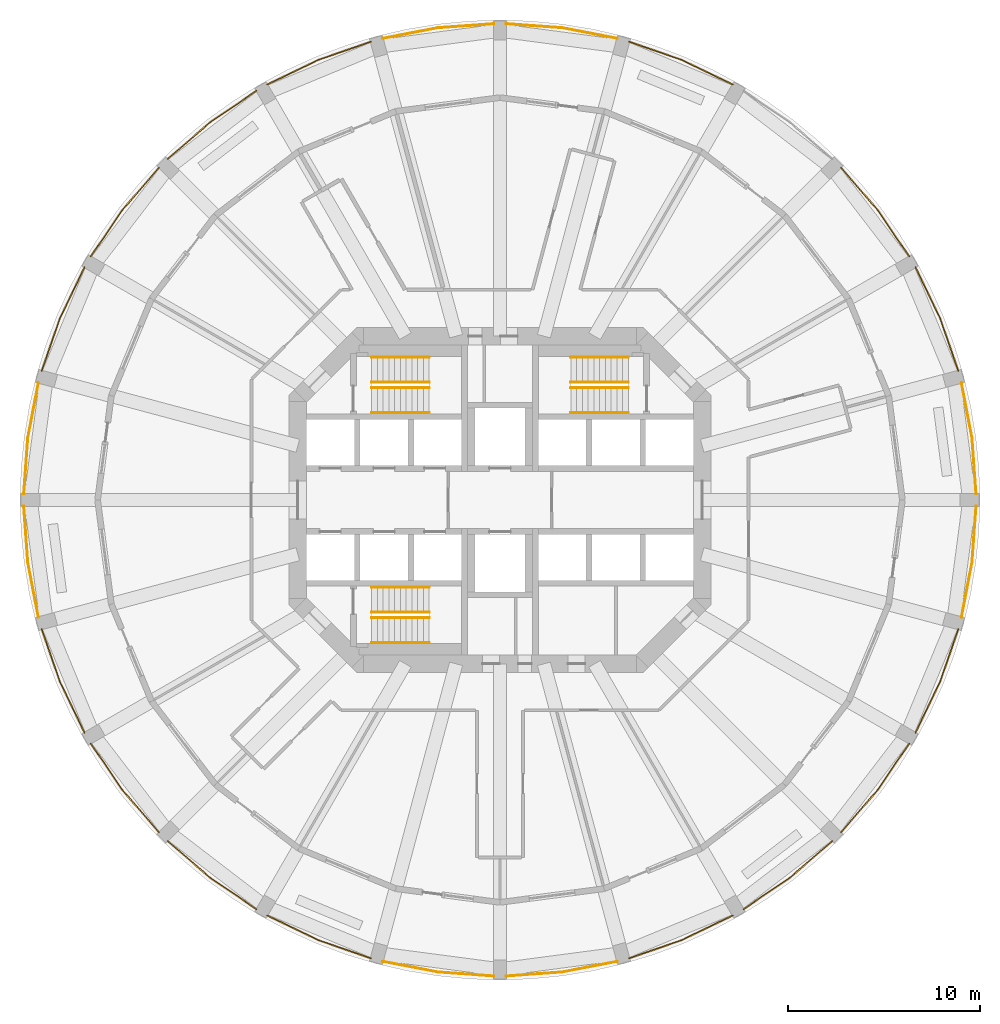
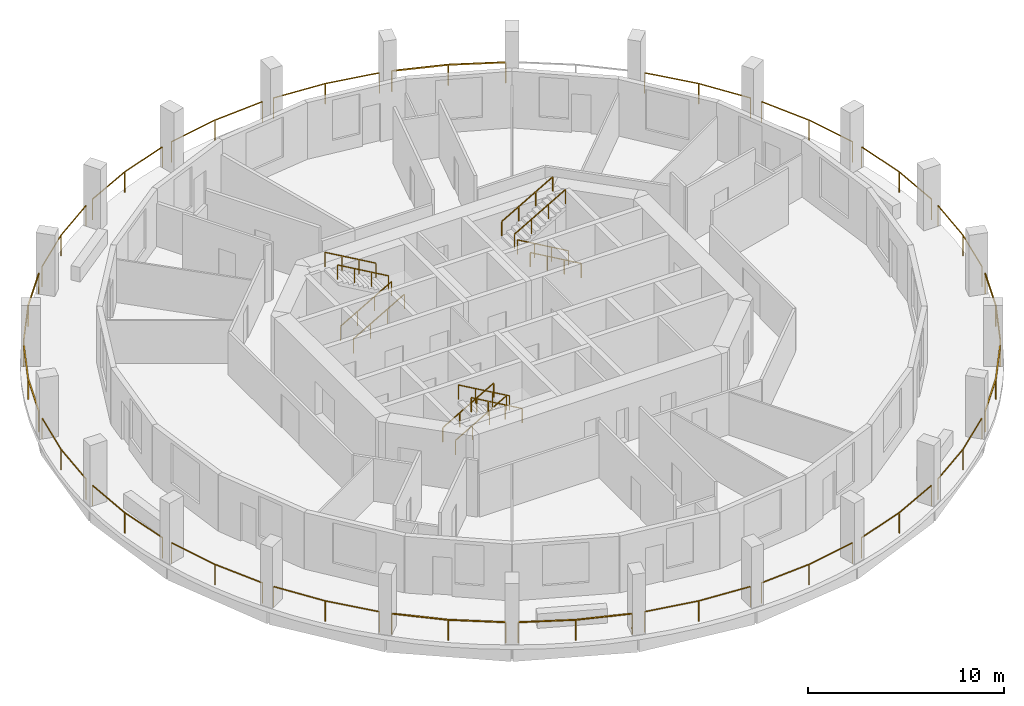
# One storey, part 7 of 8: 35 railings.
"""IFC4 building model written with IfcOpenShell, lengths in metres."""

from ifc_helpers import new_model, si_unit, direction, frame, origin, origin_2d, place, context, subcontext, project, spatial, rectangle, extrude, material, type_object, element, save


model = new_model("IFC4")

# Units and contexts
model_context = context("Model", 3, precision=1e-05, world=origin(), true_north=direction((0.0, 1.0)))
body_context = subcontext(model_context, "Body", "Model", "MODEL_VIEW")
ifc_project = project(units=[si_unit("LENGTHUNIT", "METRE"), si_unit("AREAUNIT", "SQUARE_METRE"), si_unit("VOLUMEUNIT", "CUBIC_METRE"), si_unit("PLANEANGLEUNIT", "RADIAN"), si_unit("MASSUNIT", "GRAM", prefix="KILO")], contexts=[model_context])

# Site, building, storey
site_placement = place(None, origin())
site = spatial("IfcSite", under=ifc_project, at=site_placement, CompositionType="ELEMENT")
building_placement = place(site_placement, origin())
building = spatial("IfcBuilding", under=site, at=building_placement, Name="Torre Triforio", CompositionType="ELEMENT")
storey_placement = place(building_placement, frame((0.0, 0.0, 127.60009765625)))
storey = spatial("IfcBuildingStorey", under=building, at=storey_placement, Name="L28", CompositionType="ELEMENT", Elevation=127.60009765625)

# Railings
ifc_material = material(Name="Stainless steel AISI 316", Category="steel")
railing_type_1 = type_object("IfcRailingType", Name="HANDRAIL 920", PredefinedType="HANDRAIL", material=ifc_material)
for number, where, name in (
    (1, (-6.699951171875, 4.550048828125, 0.172607421875), "Handrail ST1"),
    (2, (-6.699951171875, 5.85009765625, 0.172607421875), "Handrail ST1"),
):
    element("IfcRailing", number, at=place(storey_placement, frame(where)), inside=storey, type_object=railing_type_1, Name=name, PredefinedType="HANDRAIL", context=body_context, shape_type="SweptSolid", body=[
        extrude(rectangle(XDim=0.048095703125, YDim=0.048095703125, at=origin_2d()), frame((0.0, 0.0, 0.89599609375), z_axis=(0.866619684472, 0.0, 0.498969260062), x_axis=(0.0, 1.0, 0.0)), (0.0, 0.0, 1.0), 3.461669921875),
        extrude(rectangle(XDim=0.0419921875, YDim=0.0419921875, at=origin_2d()), origin(), (0.0, 0.0, 1.0), 0.871826171875),
        extrude(rectangle(XDim=0.0419921875, YDim=0.0419921875, at=origin_2d()), frame((1.0, 0.0, 0.57568359375)), (0.0, 0.0, 1.0), 0.871826171875),
        extrude(rectangle(XDim=0.0419921875, YDim=0.0419921875, at=origin_2d()), frame((2.0, 0.0, 1.151611328125)), (0.0, 0.0, 1.0), 0.871826171875),
        extrude(rectangle(XDim=0.0419921875, YDim=0.0419921875, at=origin_2d()), frame((3.0, 0.0, 1.727294921875)), (0.0, 0.0, 1.0), 0.871826171875),
    ])
for number, where, name in (
    (3, (-3.699951171875, 7.449951171875, 2.072509765625), "Handrail ST1"),
    (4, (-3.699951171875, 6.14990234375, 2.072509765625), "Handrail ST1"),
    (5, (6.699951171875, 4.550048828125, 0.172607421875), "Handrail ST2"),
    (6, (6.699951171875, 5.85009765625, 0.172607421875), "Handrail ST2"),
):
    element("IfcRailing", number, at=place(storey_placement, frame(where)), inside=storey, type_object=railing_type_1, Name=name, PredefinedType="HANDRAIL", context=body_context, shape_type="SweptSolid", body=[
        extrude(rectangle(XDim=0.048095703125, YDim=0.048095703125, at=origin_2d()), frame((0.0, 0.0, 0.89599609375), z_axis=(-0.866619684472, 0.0, 0.498969260062), x_axis=(0.0, -1.0, 0.0)), (0.0, 0.0, 1.0), 3.461669921875),
        extrude(rectangle(XDim=0.0419921875, YDim=0.0419921875, at=origin_2d()), origin(), (0.0, 0.0, 1.0), 0.871826171875),
        extrude(rectangle(XDim=0.0419921875, YDim=0.0419921875, at=origin_2d()), frame((-1.0, 0.0, 0.57568359375)), (0.0, 0.0, 1.0), 0.871826171875),
        extrude(rectangle(XDim=0.0419921875, YDim=0.0419921875, at=origin_2d()), frame((-2.0, 0.0, 1.151611328125)), (0.0, 0.0, 1.0), 0.871826171875),
        extrude(rectangle(XDim=0.0419921875, YDim=0.0419921875, at=origin_2d()), frame((-3.0, 0.0, 1.727294921875)), (0.0, 0.0, 1.0), 0.871826171875),
    ])
for number, where, name in (
    (7, (3.699951171875, 7.449951171875, 2.072509765625), "Handrail ST2"),
    (8, (3.699951171875, 6.14990234375, 2.072509765625), "Handrail ST2"),
    (9, (-6.699951171875, -4.550048828125, 0.172607421875), "Handrail ST3"),
    (10, (-6.699951171875, -5.85009765625, 0.172607421875), "Handrail ST3"),
):
    element("IfcRailing", number, at=place(storey_placement, frame(where)), inside=storey, type_object=railing_type_1, Name=name, PredefinedType="HANDRAIL", context=body_context, shape_type="SweptSolid", body=[
        extrude(rectangle(XDim=0.048095703125, YDim=0.048095703125, at=origin_2d()), frame((0.0, 0.0, 0.89599609375), z_axis=(0.866619684472, 0.0, 0.498969260062), x_axis=(0.0, 1.0, 0.0)), (0.0, 0.0, 1.0), 3.461669921875),
        extrude(rectangle(XDim=0.0419921875, YDim=0.0419921875, at=origin_2d()), origin(), (0.0, 0.0, 1.0), 0.871826171875),
        extrude(rectangle(XDim=0.0419921875, YDim=0.0419921875, at=origin_2d()), frame((1.0, 0.0, 0.57568359375)), (0.0, 0.0, 1.0), 0.871826171875),
        extrude(rectangle(XDim=0.0419921875, YDim=0.0419921875, at=origin_2d()), frame((2.0, 0.0, 1.151611328125)), (0.0, 0.0, 1.0), 0.871826171875),
        extrude(rectangle(XDim=0.0419921875, YDim=0.0419921875, at=origin_2d()), frame((3.0, 0.0, 1.727294921875)), (0.0, 0.0, 1.0), 0.871826171875),
    ])
for number, where, name in (
    (11, (-3.699951171875, -7.449951171875, 2.072509765625), "Handrail ST3"),
    (12, (-3.699951171875, -6.14990234375, 2.072509765625), "Handrail ST3"),
):
    element("IfcRailing", number, at=place(storey_placement, frame(where)), inside=storey, type_object=railing_type_1, Name=name, PredefinedType="HANDRAIL", context=body_context, shape_type="SweptSolid", body=[
        extrude(rectangle(XDim=0.048095703125, YDim=0.048095703125, at=origin_2d()), frame((0.0, 0.0, 0.89599609375), z_axis=(-0.866619684472, 0.0, 0.498969260062), x_axis=(0.0, -1.0, 0.0)), (0.0, 0.0, 1.0), 3.461669921875),
        extrude(rectangle(XDim=0.0419921875, YDim=0.0419921875, at=origin_2d()), origin(), (0.0, 0.0, 1.0), 0.871826171875),
        extrude(rectangle(XDim=0.0419921875, YDim=0.0419921875, at=origin_2d()), frame((-1.0, 0.0, 0.57568359375)), (0.0, 0.0, 1.0), 0.871826171875),
        extrude(rectangle(XDim=0.0419921875, YDim=0.0419921875, at=origin_2d()), frame((-2.0, 0.0, 1.151611328125)), (0.0, 0.0, 1.0), 0.871826171875),
        extrude(rectangle(XDim=0.0419921875, YDim=0.0419921875, at=origin_2d()), frame((-3.0, 0.0, 1.727294921875)), (0.0, 0.0, 1.0), 0.871826171875),
    ])
railing_type_2 = type_object("IfcRailingType", Name="Loggia guard 1300", PredefinedType="GUARDRAIL", material=ifc_material)
railing_1_placement = place(storey_placement, frame((24.85009765625, 0.320068359375, 0.0)))
element("IfcRailing", 13, at=railing_1_placement, inside=storey, type_object=railing_type_2, Name="Loggia guard L28 bay 01", PredefinedType="GUARDRAIL", context=body_context, shape_type="SweptSolid", body=[
    extrude(rectangle(XDim=0.050048828125, YDim=0.050048828125, at=origin_2d()), frame((0.0, 0.0, 1.27490234375), z_axis=(-0.072543227511, 0.997365269168, 0.0), x_axis=(-0.997365269168, -0.072543227511, 0.0)), (0.0, 0.0, 1.0), 2.931396484375),
    extrude(rectangle(XDim=0.050048828125, YDim=0.050048828125, at=origin_2d()), frame((-0.212646484375, 2.923583984375, 1.27490234375), z_axis=(-0.188068851895, 0.982155846568, 0.0), x_axis=(-0.982155846568, -0.188068851895, 0.0)), (0.0, 0.0, 1.0), 2.93115234375),
    extrude(rectangle(XDim=0.0400390625, YDim=0.0400390625, at=origin_2d()), origin(), (0.0, 0.0, 1.0), 1.25),
    extrude(rectangle(XDim=0.0400390625, YDim=0.0400390625, at=origin_2d()), frame((-0.212646484375, 2.923583984375, 0.0)), (0.0, 0.0, 1.0), 1.25),
    extrude(rectangle(XDim=0.0400390625, YDim=0.0400390625, at=origin_2d()), frame((-0.763916015625, 5.802490234375, 0.0)), (0.0, 0.0, 1.0), 1.25),
])
railing_2_placement = place(storey_placement, frame((23.92041015625, 6.74072265625, 0.0)))
element("IfcRailing", 14, at=railing_2_placement, inside=storey, type_object=railing_type_2, Name="Loggia guard L28 bay 02", PredefinedType="GUARDRAIL", context=body_context, shape_type="SweptSolid", body=[
    extrude(rectangle(XDim=0.050048828125, YDim=0.050048828125, at=origin_2d()), frame((0.0, 0.0, 1.27490234375), z_axis=(-0.328145883403, 0.944627058264, 0.0), x_axis=(-0.944627058264, -0.328145883403, 0.0)), (0.0, 0.0, 1.0), 2.931396484375),
    extrude(rectangle(XDim=0.050048828125, YDim=0.050048828125, at=origin_2d()), frame((-0.9619140625, 2.76904296875, 1.27490234375), z_axis=(-0.435917913275, 0.899986429279, 0.0), x_axis=(-0.899986429279, -0.435917913275, 0.0)), (0.0, 0.0, 1.0), 2.931396484375),
    extrude(rectangle(XDim=0.0400390625, YDim=0.0400390625, at=origin_2d()), origin(), (0.0, 0.0, 1.0), 1.25),
    extrude(rectangle(XDim=0.0400390625, YDim=0.0400390625, at=origin_2d()), frame((-0.9619140625, 2.76904296875, 0.0)), (0.0, 0.0, 1.0), 1.25),
    extrude(rectangle(XDim=0.0400390625, YDim=0.0400390625, at=origin_2d()), frame((-2.23974609375, 5.4072265625, 0.0)), (0.0, 0.0, 1.0), 1.25),
])
railing_3_placement = place(storey_placement, frame((21.360595703125, 12.7021484375, 0.0)))
element("IfcRailing", 15, at=railing_3_placement, inside=storey, type_object=railing_type_2, Name="Loggia guard L28 bay 03", PredefinedType="GUARDRAIL", context=body_context, shape_type="SweptSolid", body=[
    extrude(rectangle(XDim=0.050048828125, YDim=0.050048828125, at=origin_2d()), frame((0.0, 0.0, 1.27490234375), z_axis=(-0.561466791934, 0.827499269821, 0.0), x_axis=(-0.827499269821, -0.561466791934, 0.0)), (0.0, 0.0, 1.0), 2.93115234375),
    extrude(rectangle(XDim=0.050048828125, YDim=0.050048828125, at=origin_2d()), frame((-1.645751953125, 2.425537109375, 1.27490234375), z_axis=(-0.653981928353, 0.756510170049, 0.0), x_axis=(-0.756510170049, -0.653981928353, 0.0)), (0.0, 0.0, 1.0), 2.93115234375),
    extrude(rectangle(XDim=0.0400390625, YDim=0.0400390625, at=origin_2d()), origin(), (0.0, 0.0, 1.0), 1.25),
    extrude(rectangle(XDim=0.0400390625, YDim=0.0400390625, at=origin_2d()), frame((-1.645751953125, 2.425537109375, 0.0)), (0.0, 0.0, 1.0), 1.25),
    extrude(rectangle(XDim=0.0400390625, YDim=0.0400390625, at=origin_2d()), frame((-3.562744140625, 4.64306640625, 0.0)), (0.0, 0.0, 1.0), 1.25),
])
railing_4_placement = place(storey_placement, frame((12.14794921875, 21.6806640625, 0.0)))
element("IfcRailing", 16, at=railing_4_placement, inside=storey, type_object=railing_type_2, Name="Loggia guard L28 bay 05", PredefinedType="GUARDRAIL", context=body_context, shape_type="SweptSolid", body=[
    extrude(rectangle(XDim=0.050048828125, YDim=0.050048828125, at=origin_2d()), frame((0.0, 0.0, 1.27490234375), z_axis=(-0.899986429279, 0.435917913275, 0.0), x_axis=(-0.435917913275, -0.899986429279, 0.0)), (0.0, 0.0, 1.0), 2.931396484375),
    extrude(rectangle(XDim=0.050048828125, YDim=0.050048828125, at=origin_2d()), frame((-2.63818359375, 1.27783203125, 1.27490234375), z_axis=(-0.944627058264, 0.328145883403, 0.0), x_axis=(-0.328145883403, -0.944627058264, 0.0)), (0.0, 0.0, 1.0), 2.931396484375),
    extrude(rectangle(XDim=0.0400390625, YDim=0.0400390625, at=origin_2d()), origin(), (0.0, 0.0, 1.0), 1.25),
    extrude(rectangle(XDim=0.0400390625, YDim=0.0400390625, at=origin_2d()), frame((-2.63818359375, 1.27783203125, 0.0)), (0.0, 0.0, 1.0), 1.25),
    extrude(rectangle(XDim=0.0400390625, YDim=0.0400390625, at=origin_2d()), frame((-5.4072265625, 2.23974609375, 0.0)), (0.0, 0.0, 1.0), 1.25),
])
railing_5_placement = place(storey_placement, frame((6.12255859375, 24.086181640625, 0.0)))
element("IfcRailing", 17, at=railing_5_placement, inside=storey, type_object=railing_type_2, Name="Loggia guard L28 bay 06", PredefinedType="GUARDRAIL", context=body_context, shape_type="SweptSolid", body=[
    extrude(rectangle(XDim=0.050048828125, YDim=0.050048828125, at=origin_2d()), frame((0.0, 0.0, 1.27490234375), z_axis=(-0.982155846568, 0.188068851895, 0.0), x_axis=(-0.188068851895, -0.982155846568, 0.0)), (0.0, 0.0, 1.0), 2.93115234375),
    extrude(rectangle(XDim=0.050048828125, YDim=0.050048828125, at=origin_2d()), frame((-2.87890625, 0.55126953125, 1.27490234375), z_axis=(-0.997365269168, 0.072543227511, 0.0), x_axis=(-0.072543227511, -0.997365269168, 0.0)), (0.0, 0.0, 1.0), 2.931396484375),
    extrude(rectangle(XDim=0.0400390625, YDim=0.0400390625, at=origin_2d()), origin(), (0.0, 0.0, 1.0), 1.25),
    extrude(rectangle(XDim=0.0400390625, YDim=0.0400390625, at=origin_2d()), frame((-2.87890625, 0.55126953125, 0.0)), (0.0, 0.0, 1.0), 1.25),
    extrude(rectangle(XDim=0.0400390625, YDim=0.0400390625, at=origin_2d()), frame((-5.802490234375, 0.763916015625, 0.0)), (0.0, 0.0, 1.0), 1.25),
])
railing_6_placement = place(storey_placement, frame((-0.320068359375, 24.85009765625, 0.0)))
element("IfcRailing", 18, at=railing_6_placement, inside=storey, type_object=railing_type_2, Name="Loggia guard L28 bay 07", PredefinedType="GUARDRAIL", context=body_context, shape_type="SweptSolid", body=[
    extrude(rectangle(XDim=0.050048828125, YDim=0.050048828125, at=origin_2d()), frame((0.0, 0.0, 1.27490234375), z_axis=(-0.997365269168, -0.072543227511, 0.0), x_axis=(0.072543227511, -0.997365269168, 0.0)), (0.0, 0.0, 1.0), 2.931396484375),
    extrude(rectangle(XDim=0.050048828125, YDim=0.050048828125, at=origin_2d()), frame((-2.923583984375, -0.212646484375, 1.27490234375), z_axis=(-0.982155846568, -0.188068851895, 0.0), x_axis=(0.188068851895, -0.982155846568, 0.0)), (0.0, 0.0, 1.0), 2.93115234375),
    extrude(rectangle(XDim=0.0400390625, YDim=0.0400390625, at=origin_2d()), origin(), (0.0, 0.0, 1.0), 1.25),
    extrude(rectangle(XDim=0.0400390625, YDim=0.0400390625, at=origin_2d()), frame((-2.923583984375, -0.212646484375, 0.0)), (0.0, 0.0, 1.0), 1.25),
    extrude(rectangle(XDim=0.0400390625, YDim=0.0400390625, at=origin_2d()), frame((-5.802490234375, -0.763916015625, 0.0)), (0.0, 0.0, 1.0), 1.25),
])
railing_7_placement = place(storey_placement, frame((-6.74072265625, 23.92041015625, 0.0)))
element("IfcRailing", 19, at=railing_7_placement, inside=storey, type_object=railing_type_2, Name="Loggia guard L28 bay 08", PredefinedType="GUARDRAIL", context=body_context, shape_type="SweptSolid", body=[
    extrude(rectangle(XDim=0.050048828125, YDim=0.050048828125, at=origin_2d()), frame((0.0, 0.0, 1.27490234375), z_axis=(-0.944627058264, -0.328145883403, 0.0), x_axis=(0.328145883403, -0.944627058264, 0.0)), (0.0, 0.0, 1.0), 2.931396484375),
    extrude(rectangle(XDim=0.050048828125, YDim=0.050048828125, at=origin_2d()), frame((-2.76904296875, -0.9619140625, 1.27490234375), z_axis=(-0.899986429279, -0.435917913275, 0.0), x_axis=(0.435917913275, -0.899986429279, 0.0)), (0.0, 0.0, 1.0), 2.931396484375),
    extrude(rectangle(XDim=0.0400390625, YDim=0.0400390625, at=origin_2d()), origin(), (0.0, 0.0, 1.0), 1.25),
    extrude(rectangle(XDim=0.0400390625, YDim=0.0400390625, at=origin_2d()), frame((-2.76904296875, -0.9619140625, 0.0)), (0.0, 0.0, 1.0), 1.25),
    extrude(rectangle(XDim=0.0400390625, YDim=0.0400390625, at=origin_2d()), frame((-5.4072265625, -2.23974609375, 0.0)), (0.0, 0.0, 1.0), 1.25),
])
railing_8_placement = place(storey_placement, frame((-12.7021484375, 21.360595703125, 0.0)))
element("IfcRailing", 20, at=railing_8_placement, inside=storey, type_object=railing_type_2, Name="Loggia guard L28 bay 09", PredefinedType="GUARDRAIL", context=body_context, shape_type="SweptSolid", body=[
    extrude(rectangle(XDim=0.050048828125, YDim=0.050048828125, at=origin_2d()), frame((0.0, 0.0, 1.27490234375), z_axis=(-0.827499269821, -0.561466791934, 0.0), x_axis=(0.561466791934, -0.827499269821, 0.0)), (0.0, 0.0, 1.0), 2.93115234375),
    extrude(rectangle(XDim=0.050048828125, YDim=0.050048828125, at=origin_2d()), frame((-2.425537109375, -1.645751953125, 1.27490234375), z_axis=(-0.756510170049, -0.653981928353, 0.0), x_axis=(0.653981928353, -0.756510170049, 0.0)), (0.0, 0.0, 1.0), 2.93115234375),
    extrude(rectangle(XDim=0.0400390625, YDim=0.0400390625, at=origin_2d()), origin(), (0.0, 0.0, 1.0), 1.25),
    extrude(rectangle(XDim=0.0400390625, YDim=0.0400390625, at=origin_2d()), frame((-2.425537109375, -1.645751953125, 0.0)), (0.0, 0.0, 1.0), 1.25),
    extrude(rectangle(XDim=0.0400390625, YDim=0.0400390625, at=origin_2d()), frame((-4.64306640625, -3.562744140625, 0.0)), (0.0, 0.0, 1.0), 1.25),
])
railing_9_placement = place(storey_placement, frame((-17.7978515625, 17.34521484375, 0.0)))
element("IfcRailing", 21, at=railing_9_placement, inside=storey, type_object=railing_type_2, Name="Loggia guard L28 bay 10", PredefinedType="GUARDRAIL", context=body_context, shape_type="SweptSolid", body=[
    extrude(rectangle(XDim=0.050048828125, YDim=0.050048828125, at=origin_2d()), frame((0.0, 0.0, 1.27490234375), z_axis=(-0.653981928353, -0.756510170049, 0.0), x_axis=(0.756510170049, -0.653981928353, 0.0)), (0.0, 0.0, 1.0), 2.93115234375),
    extrude(rectangle(XDim=0.050048828125, YDim=0.050048828125, at=origin_2d()), frame((-1.9169921875, -2.217529296875, 1.27490234375), z_axis=(-0.561466791934, -0.827499269821, 0.0), x_axis=(0.827499269821, -0.561466791934, 0.0)), (0.0, 0.0, 1.0), 2.93115234375),
    extrude(rectangle(XDim=0.0400390625, YDim=0.0400390625, at=origin_2d()), origin(), (0.0, 0.0, 1.0), 1.25),
    extrude(rectangle(XDim=0.0400390625, YDim=0.0400390625, at=origin_2d()), frame((-1.9169921875, -2.217529296875, 0.0)), (0.0, 0.0, 1.0), 1.25),
    extrude(rectangle(XDim=0.0400390625, YDim=0.0400390625, at=origin_2d()), frame((-3.562744140625, -4.64306640625, 0.0)), (0.0, 0.0, 1.0), 1.25),
])
railing_10_placement = place(storey_placement, frame((-21.6806640625, 12.14794921875, 0.0)))
element("IfcRailing", 22, at=railing_10_placement, inside=storey, type_object=railing_type_2, Name="Loggia guard L28 bay 11", PredefinedType="GUARDRAIL", context=body_context, shape_type="SweptSolid", body=[
    extrude(rectangle(XDim=0.050048828125, YDim=0.050048828125, at=origin_2d()), frame((0.0, 0.0, 1.27490234375), z_axis=(-0.435917913275, -0.899986429279, 0.0), x_axis=(0.899986429279, -0.435917913275, 0.0)), (0.0, 0.0, 1.0), 2.931396484375),
    extrude(rectangle(XDim=0.050048828125, YDim=0.050048828125, at=origin_2d()), frame((-1.27783203125, -2.63818359375, 1.27490234375), z_axis=(-0.328145883403, -0.944627058264, 0.0), x_axis=(0.944627058264, -0.328145883403, 0.0)), (0.0, 0.0, 1.0), 2.931396484375),
    extrude(rectangle(XDim=0.0400390625, YDim=0.0400390625, at=origin_2d()), origin(), (0.0, 0.0, 1.0), 1.25),
    extrude(rectangle(XDim=0.0400390625, YDim=0.0400390625, at=origin_2d()), frame((-1.27783203125, -2.63818359375, 0.0)), (0.0, 0.0, 1.0), 1.25),
    extrude(rectangle(XDim=0.0400390625, YDim=0.0400390625, at=origin_2d()), frame((-2.23974609375, -5.4072265625, 0.0)), (0.0, 0.0, 1.0), 1.25),
])
railing_11_placement = place(storey_placement, frame((-24.086181640625, 6.12255859375, 0.0)))
element("IfcRailing", 23, at=railing_11_placement, inside=storey, type_object=railing_type_2, Name="Loggia guard L28 bay 12", PredefinedType="GUARDRAIL", context=body_context, shape_type="SweptSolid", body=[
    extrude(rectangle(XDim=0.050048828125, YDim=0.050048828125, at=origin_2d()), frame((0.0, 0.0, 1.27490234375), z_axis=(-0.188068851895, -0.982155846568, 0.0), x_axis=(0.982155846568, -0.188068851895, 0.0)), (0.0, 0.0, 1.0), 2.93115234375),
    extrude(rectangle(XDim=0.050048828125, YDim=0.050048828125, at=origin_2d()), frame((-0.55126953125, -2.87890625, 1.27490234375), z_axis=(-0.072543227511, -0.997365269168, 0.0), x_axis=(0.997365269168, -0.072543227511, 0.0)), (0.0, 0.0, 1.0), 2.931396484375),
    extrude(rectangle(XDim=0.0400390625, YDim=0.0400390625, at=origin_2d()), origin(), (0.0, 0.0, 1.0), 1.25),
    extrude(rectangle(XDim=0.0400390625, YDim=0.0400390625, at=origin_2d()), frame((-0.55126953125, -2.87890625, 0.0)), (0.0, 0.0, 1.0), 1.25),
    extrude(rectangle(XDim=0.0400390625, YDim=0.0400390625, at=origin_2d()), frame((-0.763916015625, -5.802490234375, 0.0)), (0.0, 0.0, 1.0), 1.25),
])
railing_12_placement = place(storey_placement, frame((-24.85009765625, -0.320068359375, 0.0)))
element("IfcRailing", 24, at=railing_12_placement, inside=storey, type_object=railing_type_2, Name="Loggia guard L28 bay 13", PredefinedType="GUARDRAIL", context=body_context, shape_type="SweptSolid", body=[
    extrude(rectangle(XDim=0.050048828125, YDim=0.050048828125, at=origin_2d()), frame((0.0, 0.0, 1.27490234375), z_axis=(0.072543227511, -0.997365269168, 0.0), x_axis=(0.997365269168, 0.072543227511, 0.0)), (0.0, 0.0, 1.0), 2.931396484375),
    extrude(rectangle(XDim=0.050048828125, YDim=0.050048828125, at=origin_2d()), frame((0.212646484375, -2.923583984375, 1.27490234375), z_axis=(0.188068851895, -0.982155846568, 0.0), x_axis=(0.982155846568, 0.188068851895, 0.0)), (0.0, 0.0, 1.0), 2.93115234375),
    extrude(rectangle(XDim=0.0400390625, YDim=0.0400390625, at=origin_2d()), origin(), (0.0, 0.0, 1.0), 1.25),
    extrude(rectangle(XDim=0.0400390625, YDim=0.0400390625, at=origin_2d()), frame((0.212646484375, -2.923583984375, 0.0)), (0.0, 0.0, 1.0), 1.25),
    extrude(rectangle(XDim=0.0400390625, YDim=0.0400390625, at=origin_2d()), frame((0.763916015625, -5.802490234375, 0.0)), (0.0, 0.0, 1.0), 1.25),
])
railing_13_placement = place(storey_placement, frame((-23.92041015625, -6.74072265625, 0.0)))
element("IfcRailing", 25, at=railing_13_placement, inside=storey, type_object=railing_type_2, Name="Loggia guard L28 bay 14", PredefinedType="GUARDRAIL", context=body_context, shape_type="SweptSolid", body=[
    extrude(rectangle(XDim=0.050048828125, YDim=0.050048828125, at=origin_2d()), frame((0.0, 0.0, 1.27490234375), z_axis=(0.328145883403, -0.944627058264, 0.0), x_axis=(0.944627058264, 0.328145883403, 0.0)), (0.0, 0.0, 1.0), 2.931396484375),
    extrude(rectangle(XDim=0.050048828125, YDim=0.050048828125, at=origin_2d()), frame((0.9619140625, -2.76904296875, 1.27490234375), z_axis=(0.435917913275, -0.899986429279, 0.0), x_axis=(0.899986429279, 0.435917913275, 0.0)), (0.0, 0.0, 1.0), 2.931396484375),
    extrude(rectangle(XDim=0.0400390625, YDim=0.0400390625, at=origin_2d()), origin(), (0.0, 0.0, 1.0), 1.25),
    extrude(rectangle(XDim=0.0400390625, YDim=0.0400390625, at=origin_2d()), frame((0.9619140625, -2.76904296875, 0.0)), (0.0, 0.0, 1.0), 1.25),
    extrude(rectangle(XDim=0.0400390625, YDim=0.0400390625, at=origin_2d()), frame((2.23974609375, -5.4072265625, 0.0)), (0.0, 0.0, 1.0), 1.25),
])
railing_14_placement = place(storey_placement, frame((-21.360595703125, -12.7021484375, 0.0)))
element("IfcRailing", 26, at=railing_14_placement, inside=storey, type_object=railing_type_2, Name="Loggia guard L28 bay 15", PredefinedType="GUARDRAIL", context=body_context, shape_type="SweptSolid", body=[
    extrude(rectangle(XDim=0.050048828125, YDim=0.050048828125, at=origin_2d()), frame((0.0, 0.0, 1.27490234375), z_axis=(0.561466791934, -0.827499269821, 0.0), x_axis=(0.827499269821, 0.561466791934, 0.0)), (0.0, 0.0, 1.0), 2.93115234375),
    extrude(rectangle(XDim=0.050048828125, YDim=0.050048828125, at=origin_2d()), frame((1.645751953125, -2.425537109375, 1.27490234375), z_axis=(0.653981928353, -0.756510170049, 0.0), x_axis=(0.756510170049, 0.653981928353, 0.0)), (0.0, 0.0, 1.0), 2.93115234375),
    extrude(rectangle(XDim=0.0400390625, YDim=0.0400390625, at=origin_2d()), origin(), (0.0, 0.0, 1.0), 1.25),
    extrude(rectangle(XDim=0.0400390625, YDim=0.0400390625, at=origin_2d()), frame((1.645751953125, -2.425537109375, 0.0)), (0.0, 0.0, 1.0), 1.25),
    extrude(rectangle(XDim=0.0400390625, YDim=0.0400390625, at=origin_2d()), frame((3.562744140625, -4.64306640625, 0.0)), (0.0, 0.0, 1.0), 1.25),
])
railing_15_placement = place(storey_placement, frame((-17.34521484375, -17.7978515625, 0.0)))
element("IfcRailing", 27, at=railing_15_placement, inside=storey, type_object=railing_type_2, Name="Loggia guard L28 bay 16", PredefinedType="GUARDRAIL", context=body_context, shape_type="SweptSolid", body=[
    extrude(rectangle(XDim=0.050048828125, YDim=0.050048828125, at=origin_2d()), frame((0.0, 0.0, 1.27490234375), z_axis=(0.756510170049, -0.653981928353, 0.0), x_axis=(0.653981928353, 0.756510170049, 0.0)), (0.0, 0.0, 1.0), 2.93115234375),
    extrude(rectangle(XDim=0.050048828125, YDim=0.050048828125, at=origin_2d()), frame((2.217529296875, -1.9169921875, 1.27490234375), z_axis=(0.827499269821, -0.561466791934, 0.0), x_axis=(0.561466791934, 0.827499269821, 0.0)), (0.0, 0.0, 1.0), 2.93115234375),
    extrude(rectangle(XDim=0.0400390625, YDim=0.0400390625, at=origin_2d()), origin(), (0.0, 0.0, 1.0), 1.25),
    extrude(rectangle(XDim=0.0400390625, YDim=0.0400390625, at=origin_2d()), frame((2.217529296875, -1.9169921875, 0.0)), (0.0, 0.0, 1.0), 1.25),
    extrude(rectangle(XDim=0.0400390625, YDim=0.0400390625, at=origin_2d()), frame((4.64306640625, -3.562744140625, 0.0)), (0.0, 0.0, 1.0), 1.25),
])
railing_16_placement = place(storey_placement, frame((-12.14794921875, -21.6806640625, 0.0)))
element("IfcRailing", 28, at=railing_16_placement, inside=storey, type_object=railing_type_2, Name="Loggia guard L28 bay 17", PredefinedType="GUARDRAIL", context=body_context, shape_type="SweptSolid", body=[
    extrude(rectangle(XDim=0.050048828125, YDim=0.050048828125, at=origin_2d()), frame((0.0, 0.0, 1.27490234375), z_axis=(0.899986429279, -0.435917913275, 0.0), x_axis=(0.435917913275, 0.899986429279, 0.0)), (0.0, 0.0, 1.0), 2.931396484375),
    extrude(rectangle(XDim=0.050048828125, YDim=0.050048828125, at=origin_2d()), frame((2.63818359375, -1.27783203125, 1.27490234375), z_axis=(0.944627058264, -0.328145883403, 0.0), x_axis=(0.328145883403, 0.944627058264, 0.0)), (0.0, 0.0, 1.0), 2.931396484375),
    extrude(rectangle(XDim=0.0400390625, YDim=0.0400390625, at=origin_2d()), origin(), (0.0, 0.0, 1.0), 1.25),
    extrude(rectangle(XDim=0.0400390625, YDim=0.0400390625, at=origin_2d()), frame((2.63818359375, -1.27783203125, 0.0)), (0.0, 0.0, 1.0), 1.25),
    extrude(rectangle(XDim=0.0400390625, YDim=0.0400390625, at=origin_2d()), frame((5.4072265625, -2.23974609375, 0.0)), (0.0, 0.0, 1.0), 1.25),
])
railing_17_placement = place(storey_placement, frame((-6.12255859375, -24.086181640625, 0.0)))
element("IfcRailing", 29, at=railing_17_placement, inside=storey, type_object=railing_type_2, Name="Loggia guard L28 bay 18", PredefinedType="GUARDRAIL", context=body_context, shape_type="SweptSolid", body=[
    extrude(rectangle(XDim=0.050048828125, YDim=0.050048828125, at=origin_2d()), frame((0.0, 0.0, 1.27490234375), z_axis=(0.982155846568, -0.188068851895, 0.0), x_axis=(0.188068851895, 0.982155846568, 0.0)), (0.0, 0.0, 1.0), 2.93115234375),
    extrude(rectangle(XDim=0.050048828125, YDim=0.050048828125, at=origin_2d()), frame((2.87890625, -0.55126953125, 1.27490234375), z_axis=(0.997365269168, -0.072543227511, 0.0), x_axis=(0.072543227511, 0.997365269168, 0.0)), (0.0, 0.0, 1.0), 2.931396484375),
    extrude(rectangle(XDim=0.0400390625, YDim=0.0400390625, at=origin_2d()), origin(), (0.0, 0.0, 1.0), 1.25),
    extrude(rectangle(XDim=0.0400390625, YDim=0.0400390625, at=origin_2d()), frame((2.87890625, -0.55126953125, 0.0)), (0.0, 0.0, 1.0), 1.25),
    extrude(rectangle(XDim=0.0400390625, YDim=0.0400390625, at=origin_2d()), frame((5.802490234375, -0.763916015625, 0.0)), (0.0, 0.0, 1.0), 1.25),
])
railing_18_placement = place(storey_placement, frame((0.320068359375, -24.85009765625, 0.0)))
element("IfcRailing", 30, at=railing_18_placement, inside=storey, type_object=railing_type_2, Name="Loggia guard L28 bay 19", PredefinedType="GUARDRAIL", context=body_context, shape_type="SweptSolid", body=[
    extrude(rectangle(XDim=0.050048828125, YDim=0.050048828125, at=origin_2d()), frame((0.0, 0.0, 1.27490234375), z_axis=(0.997365269168, 0.072543227511, 0.0), x_axis=(-0.072543227511, 0.997365269168, 0.0)), (0.0, 0.0, 1.0), 2.931396484375),
    extrude(rectangle(XDim=0.050048828125, YDim=0.050048828125, at=origin_2d()), frame((2.923583984375, 0.212646484375, 1.27490234375), z_axis=(0.982155846568, 0.188068851895, 0.0), x_axis=(-0.188068851895, 0.982155846568, 0.0)), (0.0, 0.0, 1.0), 2.93115234375),
    extrude(rectangle(XDim=0.0400390625, YDim=0.0400390625, at=origin_2d()), origin(), (0.0, 0.0, 1.0), 1.25),
    extrude(rectangle(XDim=0.0400390625, YDim=0.0400390625, at=origin_2d()), frame((2.923583984375, 0.212646484375, 0.0)), (0.0, 0.0, 1.0), 1.25),
    extrude(rectangle(XDim=0.0400390625, YDim=0.0400390625, at=origin_2d()), frame((5.802490234375, 0.763916015625, 0.0)), (0.0, 0.0, 1.0), 1.25),
])
railing_19_placement = place(storey_placement, frame((6.74072265625, -23.92041015625, 0.0)))
element("IfcRailing", 31, at=railing_19_placement, inside=storey, type_object=railing_type_2, Name="Loggia guard L28 bay 20", PredefinedType="GUARDRAIL", context=body_context, shape_type="SweptSolid", body=[
    extrude(rectangle(XDim=0.050048828125, YDim=0.050048828125, at=origin_2d()), frame((0.0, 0.0, 1.27490234375), z_axis=(0.944627058264, 0.328145883403, 0.0), x_axis=(-0.328145883403, 0.944627058264, 0.0)), (0.0, 0.0, 1.0), 2.931396484375),
    extrude(rectangle(XDim=0.050048828125, YDim=0.050048828125, at=origin_2d()), frame((2.76904296875, 0.9619140625, 1.27490234375), z_axis=(0.899986429279, 0.435917913275, 0.0), x_axis=(-0.435917913275, 0.899986429279, 0.0)), (0.0, 0.0, 1.0), 2.931396484375),
    extrude(rectangle(XDim=0.0400390625, YDim=0.0400390625, at=origin_2d()), origin(), (0.0, 0.0, 1.0), 1.25),
    extrude(rectangle(XDim=0.0400390625, YDim=0.0400390625, at=origin_2d()), frame((2.76904296875, 0.9619140625, 0.0)), (0.0, 0.0, 1.0), 1.25),
    extrude(rectangle(XDim=0.0400390625, YDim=0.0400390625, at=origin_2d()), frame((5.4072265625, 2.23974609375, 0.0)), (0.0, 0.0, 1.0), 1.25),
])
railing_20_placement = place(storey_placement, frame((12.7021484375, -21.360595703125, 0.0)))
element("IfcRailing", 32, at=railing_20_placement, inside=storey, type_object=railing_type_2, Name="Loggia guard L28 bay 21", PredefinedType="GUARDRAIL", context=body_context, shape_type="SweptSolid", body=[
    extrude(rectangle(XDim=0.050048828125, YDim=0.050048828125, at=origin_2d()), frame((0.0, 0.0, 1.27490234375), z_axis=(0.827499269821, 0.561466791934, 0.0), x_axis=(-0.561466791934, 0.827499269821, 0.0)), (0.0, 0.0, 1.0), 2.93115234375),
    extrude(rectangle(XDim=0.050048828125, YDim=0.050048828125, at=origin_2d()), frame((2.425537109375, 1.645751953125, 1.27490234375), z_axis=(0.756510170049, 0.653981928353, 0.0), x_axis=(-0.653981928353, 0.756510170049, 0.0)), (0.0, 0.0, 1.0), 2.93115234375),
    extrude(rectangle(XDim=0.0400390625, YDim=0.0400390625, at=origin_2d()), origin(), (0.0, 0.0, 1.0), 1.25),
    extrude(rectangle(XDim=0.0400390625, YDim=0.0400390625, at=origin_2d()), frame((2.425537109375, 1.645751953125, 0.0)), (0.0, 0.0, 1.0), 1.25),
    extrude(rectangle(XDim=0.0400390625, YDim=0.0400390625, at=origin_2d()), frame((4.64306640625, 3.562744140625, 0.0)), (0.0, 0.0, 1.0), 1.25),
])
railing_21_placement = place(storey_placement, frame((17.7978515625, -17.34521484375, 0.0)))
element("IfcRailing", 33, at=railing_21_placement, inside=storey, type_object=railing_type_2, Name="Loggia guard L28 bay 22", PredefinedType="GUARDRAIL", context=body_context, shape_type="SweptSolid", body=[
    extrude(rectangle(XDim=0.050048828125, YDim=0.050048828125, at=origin_2d()), frame((0.0, 0.0, 1.27490234375), z_axis=(0.653981928353, 0.756510170049, 0.0), x_axis=(-0.756510170049, 0.653981928353, 0.0)), (0.0, 0.0, 1.0), 2.93115234375),
    extrude(rectangle(XDim=0.050048828125, YDim=0.050048828125, at=origin_2d()), frame((1.9169921875, 2.217529296875, 1.27490234375), z_axis=(0.561466791934, 0.827499269821, 0.0), x_axis=(-0.827499269821, 0.561466791934, 0.0)), (0.0, 0.0, 1.0), 2.93115234375),
    extrude(rectangle(XDim=0.0400390625, YDim=0.0400390625, at=origin_2d()), origin(), (0.0, 0.0, 1.0), 1.25),
    extrude(rectangle(XDim=0.0400390625, YDim=0.0400390625, at=origin_2d()), frame((1.9169921875, 2.217529296875, 0.0)), (0.0, 0.0, 1.0), 1.25),
    extrude(rectangle(XDim=0.0400390625, YDim=0.0400390625, at=origin_2d()), frame((3.562744140625, 4.64306640625, 0.0)), (0.0, 0.0, 1.0), 1.25),
])
railing_22_placement = place(storey_placement, frame((21.6806640625, -12.14794921875, 0.0)))
element("IfcRailing", 34, at=railing_22_placement, inside=storey, type_object=railing_type_2, Name="Loggia guard L28 bay 23", PredefinedType="GUARDRAIL", context=body_context, shape_type="SweptSolid", body=[
    extrude(rectangle(XDim=0.050048828125, YDim=0.050048828125, at=origin_2d()), frame((0.0, 0.0, 1.27490234375), z_axis=(0.435917913275, 0.899986429279, 0.0), x_axis=(-0.899986429279, 0.435917913275, 0.0)), (0.0, 0.0, 1.0), 2.931396484375),
    extrude(rectangle(XDim=0.050048828125, YDim=0.050048828125, at=origin_2d()), frame((1.27783203125, 2.63818359375, 1.27490234375), z_axis=(0.328145883403, 0.944627058264, 0.0), x_axis=(-0.944627058264, 0.328145883403, 0.0)), (0.0, 0.0, 1.0), 2.931396484375),
    extrude(rectangle(XDim=0.0400390625, YDim=0.0400390625, at=origin_2d()), origin(), (0.0, 0.0, 1.0), 1.25),
    extrude(rectangle(XDim=0.0400390625, YDim=0.0400390625, at=origin_2d()), frame((1.27783203125, 2.63818359375, 0.0)), (0.0, 0.0, 1.0), 1.25),
    extrude(rectangle(XDim=0.0400390625, YDim=0.0400390625, at=origin_2d()), frame((2.23974609375, 5.4072265625, 0.0)), (0.0, 0.0, 1.0), 1.25),
])
railing_23_placement = place(storey_placement, frame((24.086181640625, -6.12255859375, 0.0)))
element("IfcRailing", 35, at=railing_23_placement, inside=storey, type_object=railing_type_2, Name="Loggia guard L28 bay 24", PredefinedType="GUARDRAIL", context=body_context, shape_type="SweptSolid", body=[
    extrude(rectangle(XDim=0.050048828125, YDim=0.050048828125, at=origin_2d()), frame((0.0, 0.0, 1.27490234375), z_axis=(0.188068851895, 0.982155846568, 0.0), x_axis=(-0.982155846568, 0.188068851895, 0.0)), (0.0, 0.0, 1.0), 2.93115234375),
    extrude(rectangle(XDim=0.050048828125, YDim=0.050048828125, at=origin_2d()), frame((0.55126953125, 2.87890625, 1.27490234375), z_axis=(0.072543227511, 0.997365269168, 0.0), x_axis=(-0.997365269168, 0.072543227511, 0.0)), (0.0, 0.0, 1.0), 2.931396484375),
    extrude(rectangle(XDim=0.0400390625, YDim=0.0400390625, at=origin_2d()), origin(), (0.0, 0.0, 1.0), 1.25),
    extrude(rectangle(XDim=0.0400390625, YDim=0.0400390625, at=origin_2d()), frame((0.55126953125, 2.87890625, 0.0)), (0.0, 0.0, 1.0), 1.25),
    extrude(rectangle(XDim=0.0400390625, YDim=0.0400390625, at=origin_2d()), frame((0.763916015625, 5.802490234375, 0.0)), (0.0, 0.0, 1.0), 1.25),
])

save(model, "model.ifc")
